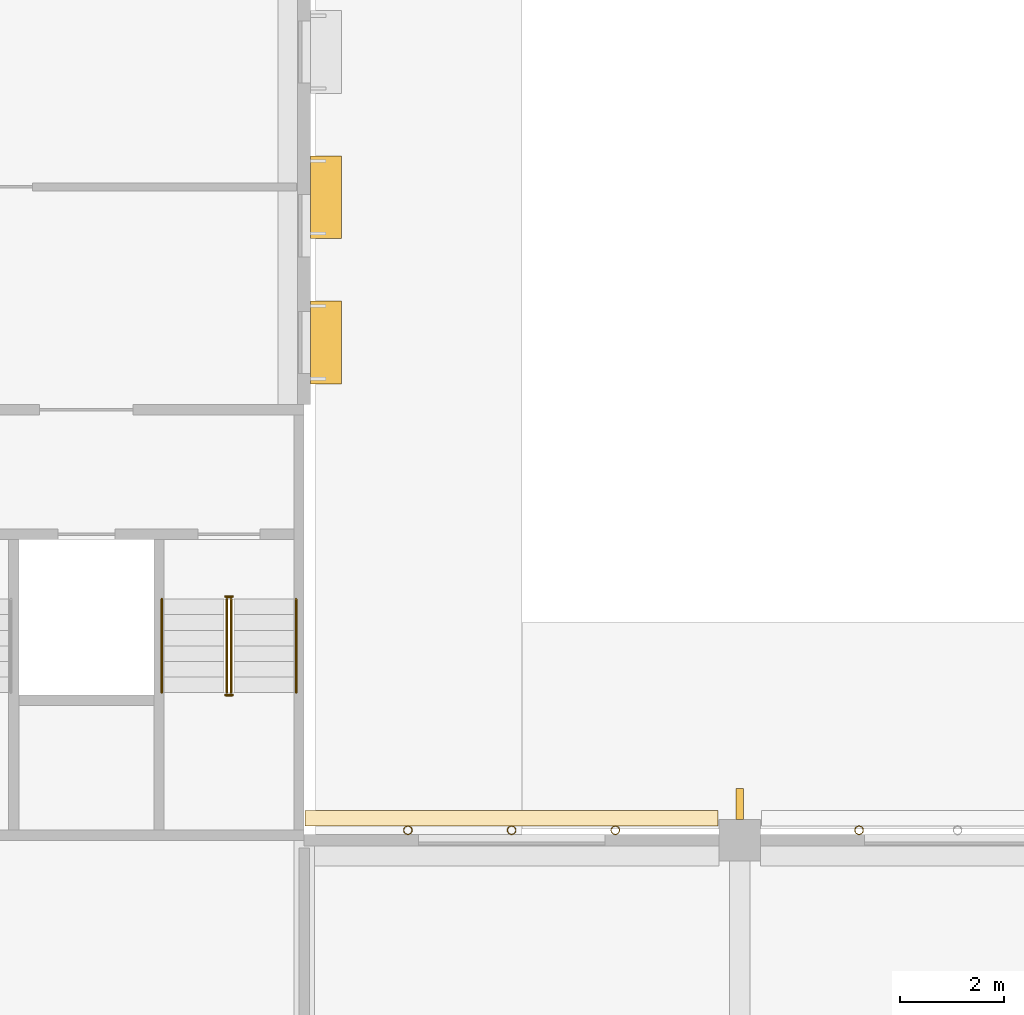
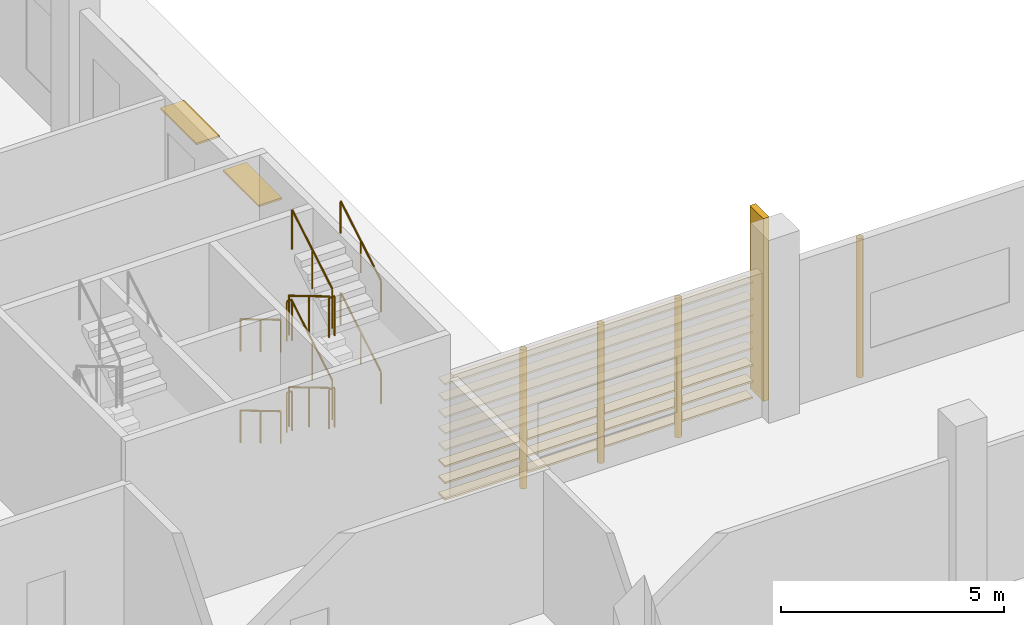
# One storey, part 62 of 101: 12 railings, 8 coverings, 7 shading devices.
"""IFC4 building model written with IfcOpenShell, lengths in metres."""

import ifcopenshell
import ifcopenshell.guid

model = None  # the IFC model being written
_history = None  # IfcOwnerHistory: only IFC2X3 demands one
_inside = {}  # id of a spatial element -> (the spatial element, [elements in it])
_under = {}  # id of a project, library or spatial element -> (it, [spatial elements below it])
_declared = {}  # id of a project -> (the project, [libraries it declares])
_typed = {}  # id of a type object -> (the type object, [elements of that type])
_made_of = {}  # id of a material, layer set ... -> (it, [elements and type objects made of it])


def new_model(schema):
    """Start an empty IFC model of exactly this schema.

    Asked for "IFC4X3", IfcOpenShell would pick the latest addendum, in which some entities
    have other attributes; the version numbers below select the first issue.
    IFC2X3 requires an IfcOwnerHistory on every rooted entity: one is made here for all.
    """
    global model, _history
    if schema == "IFC4X3":
        model = ifcopenshell.file(schema_version=(4, 3, 0, 0))
    else:
        model = ifcopenshell.file(schema=schema)
    _inside.clear()
    _under.clear()
    _declared.clear()
    _typed.clear()
    _made_of.clear()
    _history = None
    if model.schema == "IFC2X3":
        org = make("IfcOrganization", Name="unknown")
        user = make(
            "IfcPersonAndOrganization",
            ThePerson=make("IfcPerson", FamilyName="unknown"),
            TheOrganization=org,
        )
        app = make(
            "IfcApplication",
            ApplicationDeveloper=org,
            Version="unknown",
            ApplicationFullName="unknown",
            ApplicationIdentifier="unknown",
        )
        _history = make(
            "IfcOwnerHistory",
            OwningUser=user,
            OwningApplication=app,
            ChangeAction="ADDED",
            CreationDate=0,
        )
    return model


def make(cls, **values):
    """One entity of the class cls with the attributes given. An attribute that is None is left unset."""
    return model.create_entity(
        cls, **{name: value for name, value in values.items() if value is not None}
    )


def rooted(cls, **values):
    """An entity with a GlobalId (a new one), such as an element, a storey or a relation."""
    return make(cls, GlobalId=ifcopenshell.guid.new(), OwnerHistory=_history, **values)


def si_unit(unit_type, name, prefix=None):
    """IfcSIUnit, for example si_unit("LENGTHUNIT", "METRE", prefix="MILLI")."""
    return make("IfcSIUnit", UnitType=unit_type, Prefix=prefix, Name=name)


def assignment(units):
    """IfcUnitAssignment: the units of a project."""
    return None if units is None else make("IfcUnitAssignment", Units=units)


def point(xyz):
    """IfcCartesianPoint."""
    return None if xyz is None else make("IfcCartesianPoint", Coordinates=xyz)


def direction(xyz):
    """IfcDirection."""
    return None if xyz is None else make("IfcDirection", DirectionRatios=xyz)


def frame(location, z_axis=None, x_axis=None):
    """IfcAxis2Placement3D, a coordinate frame: its origin and axes. An axis left out is left unset."""
    return make(
        "IfcAxis2Placement3D",
        Location=point(location),
        Axis=direction(z_axis),
        RefDirection=direction(x_axis),
    )


def frame_2d(location, x_axis=None):
    """IfcAxis2Placement2D, a coordinate frame in the plane: its origin and x axis."""
    return make(
        "IfcAxis2Placement2D", Location=point(location), RefDirection=direction(x_axis)
    )


def origin():
    """The frame at (0, 0, 0) with its axes left unset."""
    return frame((0.0, 0.0, 0.0))


def origin_2d():
    """The frame at (0, 0) in the plane with its x axis left unset."""
    return frame_2d((0.0, 0.0))


def place(relative_to, where):
    """IfcLocalPlacement: puts the frame where relative to a parent placement (None: the world)."""
    return make(
        "IfcLocalPlacement", PlacementRelTo=relative_to, RelativePlacement=where
    )


def context(
    kind, dimensions, precision=None, world=None, true_north=None, identifier=None
):
    """IfcGeometricRepresentationContext, for example the 3D "Model" context."""
    return make(
        "IfcGeometricRepresentationContext",
        ContextIdentifier=identifier,
        ContextType=kind,
        CoordinateSpaceDimension=dimensions,
        Precision=precision,
        WorldCoordinateSystem=world,
        TrueNorth=true_north,
    )


def subcontext(parent, identifier, kind, view, scale=None):
    """IfcGeometricRepresentationSubContext, for example "Body" below "Model"."""
    return make(
        "IfcGeometricRepresentationSubContext",
        ContextIdentifier=identifier,
        ContextType=kind,
        ParentContext=parent,
        TargetScale=scale,
        TargetView=view,
    )


def project(units=None, contexts=None):
    """IfcProject with its units and contexts."""
    return rooted(
        "IfcProject",
        Name="project",
        RepresentationContexts=contexts,
        UnitsInContext=assignment(units),
    )


def spatial(cls, under=None, at=None, **own):
    """A site, building, storey or space (cls), placed at a placement, below another one or the project."""
    s = rooted(cls, ObjectPlacement=at, **own)
    if under is not None:
        _under.setdefault(under.id(), (under, []))[1].append(s)
    return s


def profile(cls, at=None, kind="AREA", **sizes):
    """A parametric profile (cls). Its sizes go by their IFC names, for example OverallWidth=200.0."""
    return make(cls, ProfileType=kind, Position=at, **sizes)


def rectangle(**sizes):
    """IfcRectangleProfileDef."""
    return profile("IfcRectangleProfileDef", **sizes)


def circle(**sizes):
    """IfcCircleProfileDef."""
    return profile("IfcCircleProfileDef", **sizes)


def hollow_circle(**sizes):
    """IfcCircleHollowProfileDef."""
    return profile("IfcCircleHollowProfileDef", **sizes)


def extrude(swept, where, along, depth):
    """IfcExtrudedAreaSolid: the profile swept, set in the frame where, extruded along a direction by depth."""
    return make(
        "IfcExtrudedAreaSolid",
        SweptArea=swept,
        Position=where,
        ExtrudedDirection=direction(along),
        Depth=depth,
    )


def shape(context_of_items, identifier, shape_type, items):
    """IfcShapeRepresentation: the items that make up one representation, for example the "Body"."""
    return make(
        "IfcShapeRepresentation",
        ContextOfItems=context_of_items,
        RepresentationIdentifier=identifier,
        RepresentationType=shape_type,
        Items=items,
    )


def material(Name=None, Category=None):
    """IfcMaterial."""
    return make("IfcMaterial", Name=Name, Category=Category)


def material_profile(
    of_material, cross_section, Name=None, Category=None, Priority=None
):
    """IfcMaterialProfile: a cross section and its material."""
    return make(
        "IfcMaterialProfile",
        Name=Name,
        Material=of_material,
        Profile=cross_section,
        Priority=Priority,
        Category=Category,
    )


def profile_set(profiles, Name=None, composite=None):
    """IfcMaterialProfileSet."""
    return make(
        "IfcMaterialProfileSet",
        Name=Name,
        MaterialProfiles=profiles,
        CompositeProfile=composite,
    )


def made_of(thing, what):
    """Note that an element or type object is made of a material, layer set ...; save() writes the relation."""
    if what is not None:
        _made_of.setdefault(what.id(), (what, []))[1].append(thing)
    return thing


def type_object(cls, material=None, **own):
    """A type object (cls), such as IfcWallType, which elements share."""
    return made_of(rooted(cls, **own), material)


def element(
    cls,
    number,
    at=None,
    inside=None,
    cuts=None,
    type_object=None,
    material=None,
    context=None,
    identifier="Body",
    shape_type=None,
    held_by="IfcProductDefinitionShape",
    body=None,
    shapes=None,
    **own,
):
    """One element of the class cls, such as IfcWall. Its Tag is "e" and its number.

    at: its placement. inside: the storey or other place that contains it. cuts: it is an
    opening in that element (IfcRelVoidsElement). A single representation is given by context,
    identifier, shape_type and body (its items); several are given by shapes. held_by: the class
    of the entity that holds the representations. save() writes the other relations.
    """
    e = rooted(cls, Tag="e%d" % number, ObjectPlacement=at, **own)
    if body is not None:
        shapes = [shape(context, identifier, shape_type, body)]
    if shapes is not None:
        e.Representation = make(held_by, Representations=shapes)
    if inside is not None:
        _inside.setdefault(inside.id(), (inside, []))[1].append(e)
    if cuts is not None:
        rooted(
            "IfcRelVoidsElement", RelatingBuildingElement=cuts, RelatedOpeningElement=e
        )
    if type_object is not None:
        _typed.setdefault(type_object.id(), (type_object, []))[1].append(e)
    return made_of(e, material)


def aggregate(whole, parts):
    """IfcRelAggregates: a whole, such as a stair, and the parts it consists of."""
    return rooted("IfcRelAggregates", RelatingObject=whole, RelatedObjects=parts)


def save(model, path):
    """Write the relations noted so far, then the file.

    IfcRelAggregates (storeys below a building ...), IfcRelContainedInSpatialStructure (elements
    in a storey), IfcRelDefinesByType, IfcRelAssociatesMaterial and IfcRelDeclares: one each for
    every whole, place, type object, material and project.
    """
    for whole, parts in _under.values():
        aggregate(whole, parts)
    for where, things in _inside.values():
        rooted(
            "IfcRelContainedInSpatialStructure",
            RelatedElements=things,
            RelatingStructure=where,
        )
    for kind, things in _typed.values():
        rooted("IfcRelDefinesByType", RelatedObjects=things, RelatingType=kind)
    for what, things in _made_of.values():
        rooted("IfcRelAssociatesMaterial", RelatedObjects=things, RelatingMaterial=what)
    for by, libraries in _declared.values():
        rooted("IfcRelDeclares", RelatingContext=by, RelatedDefinitions=libraries)
    model.write(path)


model = new_model("IFC4")

# Units and contexts
model_context = context("Model", 3, precision=1e-05, world=origin(), true_north=direction((0.0, 1.0)))
body_context = subcontext(model_context, "Body", "Model", "MODEL_VIEW")
ifc_project = project(units=[si_unit("LENGTHUNIT", "METRE"), si_unit("AREAUNIT", "SQUARE_METRE"), si_unit("VOLUMEUNIT", "CUBIC_METRE"), si_unit("PLANEANGLEUNIT", "RADIAN"), si_unit("MASSUNIT", "GRAM", prefix="KILO")], contexts=[model_context])

# Site, building, storey
site_placement = place(None, origin())
site = spatial("IfcSite", under=ifc_project, at=site_placement, CompositionType="ELEMENT")
building_placement = place(site_placement, origin())
building = spatial("IfcBuilding", under=site, at=building_placement, Name="Almond Square Museum", CompositionType="ELEMENT")
storey_placement = place(building_placement, frame((0.0, 0.0, 5.5)))
storey = spatial("IfcBuildingStorey", under=building, at=storey_placement, Name="L01", CompositionType="ELEMENT", Elevation=5.5)

# Shading devices
ifc_material_1 = material(Name="Structural steel S355", Category="steel")
ifc_material_profile_1 = material_profile(ifc_material_1, hollow_circle(Radius=0.084228515625, WallThickness=0.008056640625, at=origin_2d()))
ifc_profile_set_1 = profile_set([ifc_material_profile_1], Name="Structural steel S355")
shading_device_type_1 = type_object("IfcShadingDeviceType", Name="Louvre post CHS 168.3 x 8", PredefinedType="USERDEFINED", material=ifc_profile_set_1)
for number, where, z_axis, x_axis, name in (
    (1, (33.5, 16.994140625, 0.0), (0.0, 0.0, 1.0), (1.0, 0.0, 0.0), "Louvre screen post"),
    (2, (24.800048828125, 16.994140625, 0.0), (0.0, 0.0, 1.0), (1.0, 0.0, 0.0), "Louvre screen post"),
    (3, (26.800048828125, 16.994140625, 0.0), (0.0, 0.0, 1.0), (1.0, 0.0, 0.0), "Louvre screen post"),
    (4, (28.800048828125, 16.994140625, 0.0), (0.0, 0.0, 1.0), (1.0, 0.0, 0.0), "Louvre screen post"),
):
    element("IfcShadingDevice", number, at=place(storey_placement, frame(where, z_axis=z_axis, x_axis=x_axis)), inside=storey, type_object=shading_device_type_1, Name=name, ObjectType="POST", PredefinedType="USERDEFINED", context=body_context, shape_type="SweptSolid", body=[
        extrude(hollow_circle(Radius=0.084228515625, WallThickness=0.008056640625, at=origin_2d()), origin(), (0.0, 0.0, 1.0), 3.800048828125),
    ])

# Coverings
ifc_material_2 = material(Name="Cedar timber louvre board", Category="wood")
ifc_material_profile_2 = material_profile(ifc_material_2, rectangle(XDim=0.300048828125, YDim=0.050048828125, at=origin_2d()))
ifc_profile_set_2 = profile_set([ifc_material_profile_2], Name="Cedar timber louvre board")
covering_type = type_object("IfcCoveringType", Name="Louvre screen board 300 x 50", PredefinedType="CLADDING", material=ifc_profile_set_2)
for number, where, z_axis, x_axis, name in (
    (5, (22.820068359375, 17.224365234375, 0.300048828125), (1.0, 0.0, 0.0), (0.0, 1.0, 0.0), "Louvre screen board"),
    (6, (22.820068359375, 17.224365234375, 0.75), (1.0, 0.0, 0.0), (0.0, 1.0, 0.0), "Louvre screen board"),
    (7, (22.820068359375, 17.224365234375, 1.199951171875), (1.0, 0.0, 0.0), (0.0, 1.0, 0.0), "Louvre screen board"),
    (8, (22.820068359375, 17.224365234375, 1.64990234375), (1.0, 0.0, 0.0), (0.0, 1.0, 0.0), "Louvre screen board"),
    (9, (22.820068359375, 17.224365234375, 2.10009765625), (1.0, 0.0, 0.0), (0.0, 1.0, 0.0), "Louvre screen board"),
    (10, (22.820068359375, 17.224365234375, 2.550048828125), (1.0, 0.0, 0.0), (0.0, 1.0, 0.0), "Louvre screen board"),
    (11, (22.820068359375, 17.224365234375, 3.0), (1.0, 0.0, 0.0), (0.0, 1.0, 0.0), "Louvre screen board"),
    (12, (22.820068359375, 17.224365234375, 3.449951171875), (1.0, 0.0, 0.0), (0.0, 1.0, 0.0), "Louvre screen board"),
):
    element("IfcCovering", number, at=place(storey_placement, frame(where, z_axis=z_axis, x_axis=x_axis)), inside=storey, type_object=covering_type, Name=name, PredefinedType="CLADDING", context=body_context, shape_type="SweptSolid", body=[
        extrude(rectangle(XDim=0.300048828125, YDim=0.050048828125, at=origin_2d()), origin(), (0.0, 0.0, 1.0), 7.9599609375),
    ])

# Railings
ifc_material_3 = material(Name="Stainless steel and laminated glass", Category="steel")
railing_type_1 = type_object("IfcRailingType", Name="Stair guard 1100 steel and glass", PredefinedType="GUARDRAIL", material=ifc_material_3)
railing_1_placement = place(storey_placement, frame((21.31005859375, 21.449951171875, 0.178466796875)))
element("IfcRailing", 13, at=railing_1_placement, inside=storey, type_object=railing_type_1, Name="L01 ST-22 stair guard 1", PredefinedType="GUARDRAIL", context=body_context, shape_type="SweptSolid", body=[
    extrude(circle(Radius=0.02392578125, at=origin_2d()), frame((0.0, 0.0, 1.076171875), z_axis=(0.0, -0.859277029364, 0.511510495305), x_axis=(1.0, 0.0, 0.0)), (0.0, 0.0, 1.0), 2.0947265625),
    extrude(circle(Radius=0.02099609375, at=origin_2d()), origin(), (0.0, 0.0, 1.0), 1.052001953125),
    extrude(circle(Radius=0.02099609375, at=origin_2d()), frame((0.0, -0.89990234375, 0.53564453125)), (0.0, 0.0, 1.0), 1.052001953125),
    extrude(circle(Radius=0.02099609375, at=origin_2d()), frame((0.0, -1.800048828125, 1.071533203125)), (0.0, 0.0, 1.0), 1.052001953125),
])
railing_2_placement = place(storey_placement, frame((21.280029296875, 19.60009765625, 1.25)))
element("IfcRailing", 14, at=railing_2_placement, inside=storey, type_object=railing_type_1, Name="L01 ST-22 stair guard 2", PredefinedType="GUARDRAIL", context=body_context, shape_type="SweptSolid", body=[
    extrude(circle(Radius=0.02392578125, at=origin_2d()), frame((0.0, 0.0, 1.076171875), z_axis=(1.0, 0.0, 0.0), x_axis=(0.0, 1.0, 0.0)), (0.0, 0.0, 1.0), 0.139892578125),
    extrude(circle(Radius=0.02099609375, at=origin_2d()), origin(), (0.0, 0.0, 1.0), 1.052001953125),
    extrude(circle(Radius=0.02099609375, at=origin_2d()), frame((0.139892578125, 0.0, 0.0)), (0.0, 0.0, 1.0), 1.052001953125),
])
railing_3_placement = place(storey_placement, frame((21.389892578125, 19.64990234375, 1.428466796875)))
element("IfcRailing", 15, at=railing_3_placement, inside=storey, type_object=railing_type_1, Name="L01 ST-22 stair guard 3", PredefinedType="GUARDRAIL", context=body_context, shape_type="SweptSolid", body=[
    extrude(circle(Radius=0.02392578125, at=origin_2d()), frame((0.0, 0.0, 1.076171875), z_axis=(0.0, 0.859277029364, 0.511510495305), x_axis=(-1.0, 0.0, 0.0)), (0.0, 0.0, 1.0), 2.0947265625),
    extrude(circle(Radius=0.02099609375, at=origin_2d()), origin(), (0.0, 0.0, 1.0), 1.052001953125),
    extrude(circle(Radius=0.02099609375, at=origin_2d()), frame((0.0, 0.89990234375, 0.53564453125)), (0.0, 0.0, 1.0), 1.052001953125),
    extrude(circle(Radius=0.02099609375, at=origin_2d()), frame((0.0, 1.800048828125, 1.071533203125)), (0.0, 0.0, 1.0), 1.052001953125),
])
railing_4_placement = place(storey_placement, frame((21.280029296875, 21.5, 2.5)))
element("IfcRailing", 16, at=railing_4_placement, inside=storey, type_object=railing_type_1, Name="L01 ST-22 stair guard 4", PredefinedType="GUARDRAIL", context=body_context, shape_type="SweptSolid", body=[
    extrude(circle(Radius=0.02392578125, at=origin_2d()), frame((0.0, 0.0, 1.076171875), z_axis=(1.0, 0.0, 0.0), x_axis=(0.0, 1.0, 0.0)), (0.0, 0.0, 1.0), 0.139892578125),
    extrude(circle(Radius=0.02099609375, at=origin_2d()), origin(), (0.0, 0.0, 1.0), 1.052001953125),
    extrude(circle(Radius=0.02099609375, at=origin_2d()), frame((0.139892578125, 0.0, 0.0)), (0.0, 0.0, 1.0), 1.052001953125),
])
railing_5_placement = place(storey_placement, frame((21.31005859375, 21.449951171875, 2.678466796875)))
element("IfcRailing", 17, at=railing_5_placement, inside=storey, type_object=railing_type_1, Name="L01 ST-22 stair guard 5", PredefinedType="GUARDRAIL", context=body_context, shape_type="SweptSolid", body=[
    extrude(circle(Radius=0.02392578125, at=origin_2d()), frame((0.0, 0.0, 1.076171875), z_axis=(0.0, -0.859277029364, 0.511510495305), x_axis=(1.0, 0.0, 0.0)), (0.0, 0.0, 1.0), 2.0947265625),
    extrude(circle(Radius=0.02099609375, at=origin_2d()), origin(), (0.0, 0.0, 1.0), 1.052001953125),
    extrude(circle(Radius=0.02099609375, at=origin_2d()), frame((0.0, -0.89990234375, 0.53564453125)), (0.0, 0.0, 1.0), 1.052001953125),
    extrude(circle(Radius=0.02099609375, at=origin_2d()), frame((0.0, -1.800048828125, 1.071533203125)), (0.0, 0.0, 1.0), 1.052001953125),
])
railing_6_placement = place(storey_placement, frame((21.280029296875, 19.60009765625, 3.75)))
element("IfcRailing", 18, at=railing_6_placement, inside=storey, type_object=railing_type_1, Name="L01 ST-22 stair guard 6", PredefinedType="GUARDRAIL", context=body_context, shape_type="SweptSolid", body=[
    extrude(circle(Radius=0.02392578125, at=origin_2d()), frame((0.0, 0.0, 1.076171875), z_axis=(1.0, 0.0, 0.0), x_axis=(0.0, 1.0, 0.0)), (0.0, 0.0, 1.0), 0.139892578125),
    extrude(circle(Radius=0.02099609375, at=origin_2d()), origin(), (0.0, 0.0, 1.0), 1.052001953125),
    extrude(circle(Radius=0.02099609375, at=origin_2d()), frame((0.139892578125, 0.0, 0.0)), (0.0, 0.0, 1.0), 1.052001953125),
])
railing_7_placement = place(storey_placement, frame((21.389892578125, 19.64990234375, 3.928466796875)))
element("IfcRailing", 19, at=railing_7_placement, inside=storey, type_object=railing_type_1, Name="L01 ST-22 stair guard 7", PredefinedType="GUARDRAIL", context=body_context, shape_type="SweptSolid", body=[
    extrude(circle(Radius=0.02392578125, at=origin_2d()), frame((0.0, 0.0, 1.076171875), z_axis=(0.0, 0.859277029364, 0.511510495305), x_axis=(-1.0, 0.0, 0.0)), (0.0, 0.0, 1.0), 2.0947265625),
    extrude(circle(Radius=0.02099609375, at=origin_2d()), origin(), (0.0, 0.0, 1.0), 1.052001953125),
    extrude(circle(Radius=0.02099609375, at=origin_2d()), frame((0.0, 0.89990234375, 0.53564453125)), (0.0, 0.0, 1.0), 1.052001953125),
    extrude(circle(Radius=0.02099609375, at=origin_2d()), frame((0.0, 1.800048828125, 1.071533203125)), (0.0, 0.0, 1.0), 1.052001953125),
])
railing_8_placement = place(storey_placement, frame((21.280029296875, 21.5, 0.0)))
element("IfcRailing", 20, at=railing_8_placement, inside=storey, type_object=railing_type_1, Name="L01 ST-22 stair guard 8", PredefinedType="GUARDRAIL", context=body_context, shape_type="SweptSolid", body=[
    extrude(circle(Radius=0.02392578125, at=origin_2d()), frame((0.0, 0.0, 1.076171875), z_axis=(1.0, 0.0, 0.0), x_axis=(0.0, 1.0, 0.0)), (0.0, 0.0, 1.0), 0.139892578125),
    extrude(circle(Radius=0.02099609375, at=origin_2d()), origin(), (0.0, 0.0, 1.0), 1.052001953125),
    extrude(circle(Radius=0.02099609375, at=origin_2d()), frame((0.139892578125, 0.0, 0.0)), (0.0, 0.0, 1.0), 1.052001953125),
])
ifc_material_4 = material(Name="Stainless steel", Category="steel")
railing_type_2 = type_object("IfcRailingType", Name="Stair handrail 900 steel", PredefinedType="HANDRAIL", material=ifc_material_4)
railing_9_placement = place(storey_placement, frame((20.054931640625, 21.449951171875, 0.178466796875)))
element("IfcRailing", 21, at=railing_9_placement, inside=storey, type_object=railing_type_2, Name="L01 ST-22 stair handrail 1", PredefinedType="HANDRAIL", context=body_context, shape_type="SweptSolid", body=[
    extrude(circle(Radius=0.02392578125, at=origin_2d()), frame((0.0, 0.0, 0.8759765625), z_axis=(0.0, -0.859277029364, 0.511510495305), x_axis=(1.0, 0.0, 0.0)), (0.0, 0.0, 1.0), 2.0947265625),
    extrude(circle(Radius=0.02099609375, at=origin_2d()), origin(), (0.0, 0.0, 1.0), 0.851806640625),
    extrude(circle(Radius=0.02099609375, at=origin_2d()), frame((0.0, -0.89990234375, 0.53564453125)), (0.0, 0.0, 1.0), 0.851806640625),
    extrude(circle(Radius=0.02099609375, at=origin_2d()), frame((0.0, -1.800048828125, 1.071533203125)), (0.0, 0.0, 1.0), 0.851806640625),
])
railing_10_placement = place(storey_placement, frame((22.64501953125, 19.64990234375, 1.428466796875)))
element("IfcRailing", 22, at=railing_10_placement, inside=storey, type_object=railing_type_2, Name="L01 ST-22 stair handrail 2", PredefinedType="HANDRAIL", context=body_context, shape_type="SweptSolid", body=[
    extrude(circle(Radius=0.02392578125, at=origin_2d()), frame((0.0, 0.0, 0.8759765625), z_axis=(0.0, 0.859277029364, 0.511510495305), x_axis=(-1.0, 0.0, 0.0)), (0.0, 0.0, 1.0), 2.0947265625),
    extrude(circle(Radius=0.02099609375, at=origin_2d()), origin(), (0.0, 0.0, 1.0), 0.851806640625),
    extrude(circle(Radius=0.02099609375, at=origin_2d()), frame((0.0, 0.89990234375, 0.53564453125)), (0.0, 0.0, 1.0), 0.851806640625),
    extrude(circle(Radius=0.02099609375, at=origin_2d()), frame((0.0, 1.800048828125, 1.071533203125)), (0.0, 0.0, 1.0), 0.851806640625),
])
railing_11_placement = place(storey_placement, frame((20.054931640625, 21.449951171875, 2.678466796875)))
element("IfcRailing", 23, at=railing_11_placement, inside=storey, type_object=railing_type_2, Name="L01 ST-22 stair handrail 3", PredefinedType="HANDRAIL", context=body_context, shape_type="SweptSolid", body=[
    extrude(circle(Radius=0.02392578125, at=origin_2d()), frame((0.0, 0.0, 0.8759765625), z_axis=(0.0, -0.859277029364, 0.511510495305), x_axis=(1.0, 0.0, 0.0)), (0.0, 0.0, 1.0), 2.0947265625),
    extrude(circle(Radius=0.02099609375, at=origin_2d()), origin(), (0.0, 0.0, 1.0), 0.851806640625),
    extrude(circle(Radius=0.02099609375, at=origin_2d()), frame((0.0, -0.89990234375, 0.53564453125)), (0.0, 0.0, 1.0), 0.851806640625),
    extrude(circle(Radius=0.02099609375, at=origin_2d()), frame((0.0, -1.800048828125, 1.071533203125)), (0.0, 0.0, 1.0), 0.851806640625),
])
railing_12_placement = place(storey_placement, frame((22.64501953125, 19.64990234375, 3.928466796875)))
element("IfcRailing", 24, at=railing_12_placement, inside=storey, type_object=railing_type_2, Name="L01 ST-22 stair handrail 4", PredefinedType="HANDRAIL", context=body_context, shape_type="SweptSolid", body=[
    extrude(circle(Radius=0.02392578125, at=origin_2d()), frame((0.0, 0.0, 0.8759765625), z_axis=(0.0, 0.859277029364, 0.511510495305), x_axis=(-1.0, 0.0, 0.0)), (0.0, 0.0, 1.0), 2.0947265625),
    extrude(circle(Radius=0.02099609375, at=origin_2d()), origin(), (0.0, 0.0, 1.0), 0.851806640625),
    extrude(circle(Radius=0.02099609375, at=origin_2d()), frame((0.0, 0.89990234375, 0.53564453125)), (0.0, 0.0, 1.0), 0.851806640625),
    extrude(circle(Radius=0.02099609375, at=origin_2d()), frame((0.0, 1.800048828125, 1.071533203125)), (0.0, 0.0, 1.0), 0.851806640625),
])

# Shading devices
ifc_material_5 = material(Name="Anodised aluminium", Category="aluminium")
ifc_material_profile_3 = material_profile(ifc_material_5, rectangle(XDim=0.60009765625, YDim=0.050048828125, at=origin_2d()))
ifc_profile_set_3 = profile_set([ifc_material_profile_3], Name="Anodised aluminium")
shading_device_type_2 = type_object("IfcShadingDeviceType", Name="Sun-shade blade 600 x 50", PredefinedType="USERDEFINED", material=ifc_profile_set_3)
shading_device_1_placement = place(storey_placement, frame((23.222900390625, 25.60009765625, 3.1201171875), z_axis=(0.0, 1.0, 0.0), x_axis=(-1.0, 0.0, 0.0)))
element("IfcShadingDevice", 25, at=shading_device_1_placement, inside=storey, type_object=shading_device_type_2, Name="Sun-shade blade", ObjectType="LOUVRE", PredefinedType="USERDEFINED", context=body_context, shape_type="SweptSolid", body=[
    extrude(rectangle(XDim=0.60009765625, YDim=0.050048828125, at=origin_2d()), origin(), (0.0, 0.0, 1.0), 1.599853515625),
])
shading_device_2_placement = place(storey_placement, frame((23.222900390625, 28.39990234375, 3.1201171875), z_axis=(0.0, 1.0, 0.0), x_axis=(-1.0, 0.0, 0.0)))
element("IfcShadingDevice", 26, at=shading_device_2_placement, inside=storey, type_object=shading_device_type_2, Name="Sun-shade blade", ObjectType="LOUVRE", PredefinedType="USERDEFINED", context=body_context, shape_type="SweptSolid", body=[
    extrude(rectangle(XDim=0.60009765625, YDim=0.050048828125, at=origin_2d()), origin(), (0.0, 0.0, 1.0), 1.60009765625),
])
ifc_material_6 = material(Name="Cedar timber fin", Category="wood")
shading_device_type_3 = type_object("IfcShadingDeviceType", Name="Timber storm fin 150 x 600", PredefinedType="USERDEFINED", material=ifc_material_6)
shading_device_3_placement = place(storey_placement, frame((31.199951171875, 17.5, 0.0), z_axis=(0.0, 0.0, 1.0), x_axis=(1.0, 0.0, 0.0)))
element("IfcShadingDevice", 27, at=shading_device_3_placement, inside=storey, type_object=shading_device_type_3, Name="Timber storm fin", ObjectType="FIN", PredefinedType="USERDEFINED", context=body_context, shape_type="SweptSolid", body=[
    extrude(rectangle(XDim=0.14990234375, YDim=0.60009765625, at=origin_2d()), origin(), (0.0, 0.0, 1.0), 5.0),
])

save(model, "model.ifc")
